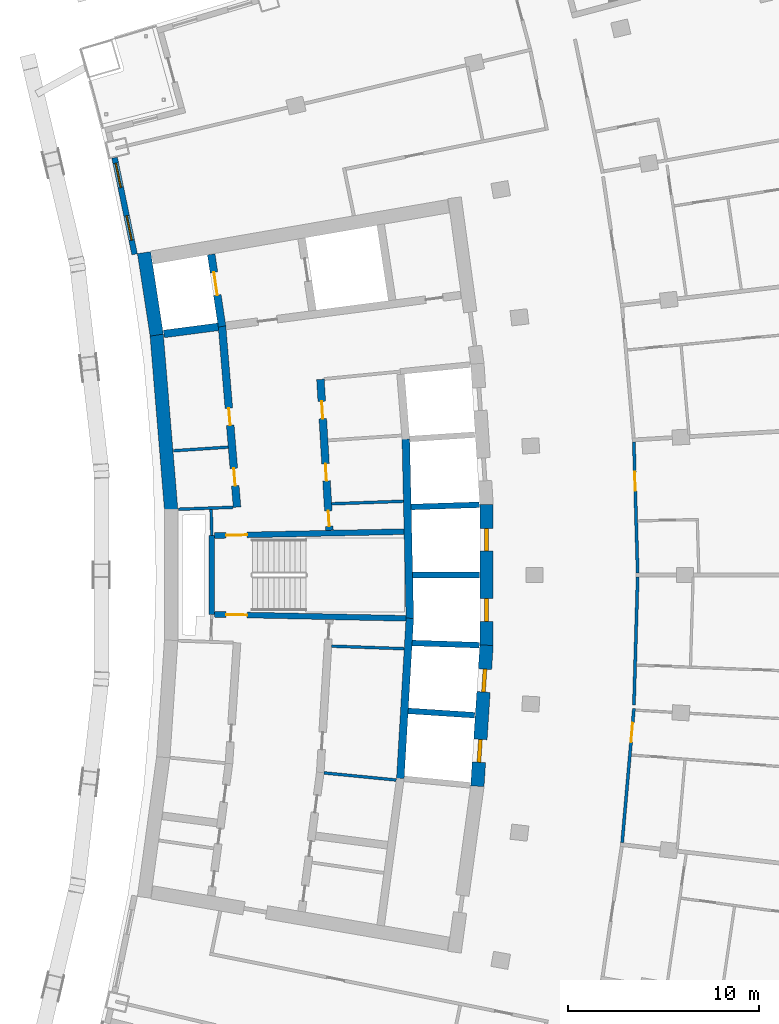
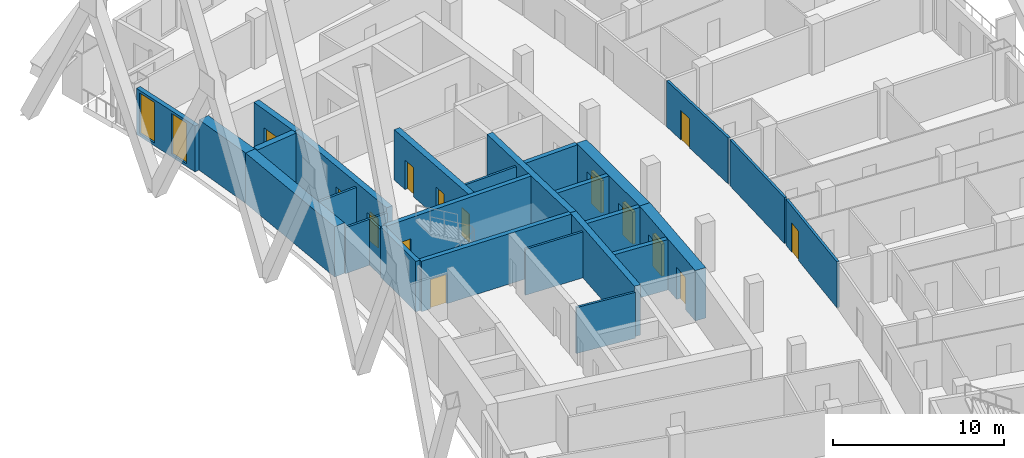
# One storey, part 14 of 22: 27 walls, 14 doors, 2 windows, 16 openings.
"""IFC4 building model written with IfcOpenShell, lengths in metres."""

from ifc_helpers import new_model, si_unit, direction, frame, frame_2d, origin, place, context, subcontext, project, spatial, rectangle, extrude, material, layer, layer_set, type_object, element, fill, save


model = new_model("IFC4")

# Units and contexts
model_context = context("Model", 3, precision=1e-05, world=origin(), true_north=direction((0.0, 1.0)))
body_context = subcontext(model_context, "Body", "Model", "MODEL_VIEW")
ifc_project = project(units=[si_unit("LENGTHUNIT", "METRE"), si_unit("AREAUNIT", "SQUARE_METRE"), si_unit("VOLUMEUNIT", "CUBIC_METRE"), si_unit("PLANEANGLEUNIT", "RADIAN"), si_unit("MASSUNIT", "GRAM", prefix="KILO")], contexts=[model_context])

# Site, building, storey
site_placement = place(None, origin())
site = spatial("IfcSite", under=ifc_project, at=site_placement, CompositionType="ELEMENT")
building_placement = place(site_placement, origin())
building = spatial("IfcBuilding", under=site, at=building_placement, Name="Alderwake Tower", CompositionType="ELEMENT")
storey_placement = place(building_placement, frame((0.0, 0.0, 160.39990234375)))
storey = spatial("IfcBuildingStorey", under=building, at=storey_placement, Name="L39", CompositionType="ELEMENT", Elevation=160.39990234375)

# Walls
ifc_material_1 = material(Name="Gypsum shaft wall system, rated")
ifc_layer_1 = layer(ifc_material_1, 0.14990234375)
ifc_layer_set_1 = layer_set([ifc_layer_1], Name="Core riser partition 150")
wall_type_1 = type_object("IfcWallType", Name="Core riser partition 150", PredefinedType="PARTITIONING", material=ifc_layer_set_1)
wall_1_placement = place(storey_placement, frame((25.1904296875, 57.276611328125, 0.0), z_axis=(0.0, 0.0, 1.0), x_axis=(0.999373547283, -0.03539086028, 0.0)))
element("IfcWall", 1, at=wall_1_placement, inside=storey, type_object=wall_type_1, Name="CW/L39/PR-37_+86", PredefinedType="PARTITIONING", context=body_context, shape_type="SweptSolid", body=[
    extrude(rectangle(XDim=3.794189453125, YDim=0.14990234375, at=frame_2d((1.89697265625, 0.0))), origin(), (0.0, 0.0, 1.0), 3.280029296875),
])
wall_2_placement = place(storey_placement, frame((25.191162109375, 64.723388671875, 0.0), z_axis=(0.0, 0.0, 1.0), x_axis=(0.999373256208, 0.035399078746, 0.0)))
element("IfcWall", 2, at=wall_2_placement, inside=storey, type_object=wall_type_1, Name="CW/L39/PR+37_+86", PredefinedType="PARTITIONING", context=body_context, shape_type="SweptSolid", body=[
    extrude(rectangle(XDim=3.751953125, YDim=0.14990234375, at=frame_2d((1.8759765625, 0.0))), origin(), (0.0, 0.0, 1.0), 3.280029296875),
])
ifc_material_2 = material(Name="Gypsum shaft wall system, rated")
ifc_layer_2 = layer(ifc_material_2, 0.14990234375)
ifc_layer_set_2 = layer_set([ifc_layer_2], Name="Core room partition 150")
wall_type_2 = type_object("IfcWallType", Name="Core room partition 150", PredefinedType="PARTITIONING", material=ifc_layer_set_2)
wall_3_placement = place(storey_placement, frame((18.918701171875, 63.05517578125, 0.0), z_axis=(0.0, 0.0, 1.0), x_axis=(-0.027791791559, 0.99961373356, 0.0)))
element("IfcWall", 3, at=wall_3_placement, inside=storey, type_object=wall_type_2, Name="CW/L39/PA+24_+22", PredefinedType="PARTITIONING", context=body_context, shape_type="SweptSolid", body=[
    extrude(rectangle(XDim=1.370361328125, YDim=0.14990234375, at=frame_2d((0.68505859375, 0.0))), origin(), (0.0, 0.0, 1.0), 3.280029296875),
])
wall_4_placement = place(storey_placement, frame((24.789794921875, 50.64501953125, 0.0), z_axis=(0.0, 0.0, 1.0), x_axis=(0.995153039802, -0.098338331148, 0.0)))
element("IfcWall", 4, at=wall_4_placement, inside=storey, type_object=wall_type_2, Name="CW/L39/PR-103_+86", PredefinedType="PARTITIONING", context=body_context, shape_type="SweptSolid", body=[
    extrude(rectangle(XDim=3.7958984375, YDim=0.14990234375, at=frame_2d((1.89794921875, 0.0))), origin(), (0.0, 0.0, 1.0), 3.280029296875),
])
wall_5_placement = place(storey_placement, frame((17.16943359375, 64.439453125, 0.0), z_axis=(0.0, 0.0, 1.0), x_axis=(0.999373431798, 0.035394121201, 0.0)))
element("IfcWall", 5, at=wall_5_placement, inside=storey, type_object=wall_type_2, Name="CW/L39/PR+37_+0", PredefinedType="PARTITIONING", context=body_context, shape_type="SweptSolid", body=[
    extrude(rectangle(XDim=2.869384765625, YDim=0.14990234375, at=frame_2d((1.4345703125, 0.0))), origin(), (0.0, 0.0, 1.0), 3.280029296875),
])
wall_6_placement = place(storey_placement, frame((16.916015625, 67.497314453125, 0.0), z_axis=(0.0, 0.0, 1.0), x_axis=(0.997762488798, 0.066858177867, 0.0)))
element("IfcWall", 6, at=wall_6_placement, inside=storey, type_object=wall_type_2, Name="CW/L39/PR+70_+0", PredefinedType="PARTITIONING", context=body_context, shape_type="SweptSolid", body=[
    extrude(rectangle(XDim=2.866455078125, YDim=0.14990234375, at=frame_2d((1.43310546875, 0.0))), origin(), (0.0, 0.0, 1.0), 3.280029296875),
])
ifc_material_3 = material(Name="Concrete C70/85", Category="concrete")
ifc_layer_3 = layer(ifc_material_3, 0.699951171875)
ifc_layer_set_3 = layer_set([ifc_layer_3], Name="Core wall outer 700 C70-85")
wall_type_3 = type_object("IfcWallType", Name="Core wall outer 700 C70-85", PredefinedType="SHEAR", material=ifc_layer_set_3)
wall_7_placement = place(storey_placement, frame((16.79052734375, 64.4111328125, 0.0), z_axis=(0.0, 0.0, 1.0), x_axis=(-0.082616907099, 0.996581379849, 0.0)))
element("IfcWall", 7, at=wall_7_placement, inside=storey, type_object=wall_type_3, Name="Core wall CW.040", PredefinedType="SHEAR", context=body_context, shape_type="SweptSolid", body=[
    extrude(rectangle(XDim=9.193359375, YDim=0.699951171875, at=frame_2d((4.5966796875, 0.0))), origin(), (0.0, 0.0, 1.0), 3.60009765625),
])
wall_8_placement = place(storey_placement, frame((16.033935546875, 73.547607421875, 0.0), z_axis=(0.0, 0.0, 1.0), x_axis=(-0.151897483467, 0.988396253795, 0.0)))
element("IfcWall", 8, at=wall_8_placement, inside=storey, type_object=wall_type_3, Name="Core wall CW.039", PredefinedType="SHEAR", context=body_context, shape_type="SweptSolid", body=[
    extrude(rectangle(XDim=4.365234375, YDim=0.699951171875, at=frame_2d((2.1826171875, 0.0))), origin(), (0.0, 0.0, 1.0), 3.60009765625),
])

# Wall, openings, doors
wall_9_placement = place(storey_placement, frame((32.810302734375, 49.9482421875, 0.0), z_axis=(0.0, 0.0, 1.0), x_axis=(0.065009096017, 0.99788467141, 0.0)))
wall_9 = element("IfcWall", 9, at=wall_9_placement, inside=storey, type_object=wall_type_3, Name="Core wall CW.011", PredefinedType="SHEAR", context=body_context, shape_type="SweptSolid", body=[
    extrude(rectangle(XDim=7.39453125, YDim=0.699951171875, at=frame_2d((3.697265625, 0.0))), origin(), (0.0, 0.0, 1.0), 3.60009765625),
])
opening_1_placement = place(wall_9_placement, frame((1.255126953125, 0.0, 0.0)))
opening_1 = element("IfcOpeningElement", 10, at=opening_1_placement, cuts=wall_9, Name="Opening LD-HP1", PredefinedType="OPENING", context=body_context, shape_type="SweptSolid", body=[
    extrude(rectangle(XDim=1.199951171875, YDim=2.300048828125, at=frame_2d((0.60009765625, 1.14990234375))), frame((0.0, 0.35986328125, 0.0), z_axis=(0.0, -1.0, 0.0), x_axis=(1.0, 0.0, 0.0)), (0.0, 0.0, 1.0), 0.719970703125),
])
opening_2_placement = place(wall_9_placement, frame((4.9404296875, 0.0, 0.0)))
opening_2 = element("IfcOpeningElement", 11, at=opening_2_placement, cuts=wall_9, Name="Opening LD-HP2", PredefinedType="OPENING", context=body_context, shape_type="SweptSolid", body=[
    extrude(rectangle(XDim=1.199951171875, YDim=2.300048828125, at=frame_2d((0.60009765625, 1.14990234375))), frame((0.0, 0.35986328125, 0.0), z_axis=(0.0, -1.0, 0.0), x_axis=(1.0, 0.0, 0.0)), (0.0, 0.0, 1.0), 0.719970703125),
])
ifc_material_4 = material(Name="Stainless steel sliding leaf", Category="steel")
door_type_1 = type_object("IfcDoorType", Name="Lift landing door 1200", OperationType="SLIDING_TO_LEFT", PredefinedType="DOOR", material=ifc_material_4)
door_1_placement = place(opening_1_placement, origin())
door_1 = element("IfcDoor", 12, at=door_1_placement, inside=storey, type_object=door_type_1, Name="Lift landing door HP1", OperationType="SLIDING_TO_LEFT", OverallHeight=2.300048828125, OverallWidth=1.199951171875, PredefinedType="DOOR", context=body_context, shape_type="SweptSolid", body=[
    extrude(rectangle(XDim=1.199951171875, YDim=2.300048828125, at=frame_2d((0.60009765625, 1.14990234375))), frame((0.0, 0.10009765625, 0.0), z_axis=(0.0, -1.0, 0.0), x_axis=(1.0, 0.0, 0.0)), (0.0, 0.0, 1.0), 0.199951171875),
])
fill(opening_1, door_1)
door_2_placement = place(opening_2_placement, origin())
door_2 = element("IfcDoor", 13, at=door_2_placement, inside=storey, type_object=door_type_1, Name="Lift landing door HP2", OperationType="SLIDING_TO_LEFT", OverallHeight=2.300048828125, OverallWidth=1.199951171875, PredefinedType="DOOR", context=body_context, shape_type="SweptSolid", body=[
    extrude(rectangle(XDim=1.199951171875, YDim=2.300048828125, at=frame_2d((0.60009765625, 1.14990234375))), frame((0.0, 0.10009765625, 0.0), z_axis=(0.0, -1.0, 0.0), x_axis=(1.0, 0.0, 0.0)), (0.0, 0.0, 1.0), 0.199951171875),
])
fill(opening_2, door_2)

wall_10_placement = place(storey_placement, frame((33.2900390625, 57.30322265625, 0.0), z_axis=(0.0, 0.0, 1.0), x_axis=(0.0, 1.0, 0.0)))
wall_10 = element("IfcWall", 14, at=wall_10_placement, inside=storey, type_object=wall_type_3, Name="Core wall CW.013", PredefinedType="SHEAR", context=body_context, shape_type="SweptSolid", body=[
    extrude(rectangle(XDim=7.3935546875, YDim=0.699951171875, at=frame_2d((3.69677734375, 0.0))), origin(), (0.0, 0.0, 1.0), 3.60009765625),
])
opening_3_placement = place(wall_10_placement, frame((1.254150390625, 0.0, 0.0)))
opening_3 = element("IfcOpeningElement", 15, at=opening_3_placement, cuts=wall_10, Name="Opening LD-HP3", PredefinedType="OPENING", context=body_context, shape_type="SweptSolid", body=[
    extrude(rectangle(XDim=1.199951171875, YDim=2.300048828125, at=frame_2d((0.60009765625, 1.14990234375))), frame((0.0, 0.35986328125, 0.0), z_axis=(0.0, -1.0, 0.0), x_axis=(1.0, 0.0, 0.0)), (0.0, 0.0, 1.0), 0.719970703125),
])
opening_4_placement = place(wall_10_placement, frame((4.939208984375, 0.0, 0.0)))
opening_4 = element("IfcOpeningElement", 16, at=opening_4_placement, cuts=wall_10, Name="Opening LD-HP4", PredefinedType="OPENING", context=body_context, shape_type="SweptSolid", body=[
    extrude(rectangle(XDim=1.199951171875, YDim=2.300048828125, at=frame_2d((0.60009765625, 1.14990234375))), frame((0.0, 0.35986328125, 0.0), z_axis=(0.0, -1.0, 0.0), x_axis=(1.0, 0.0, 0.0)), (0.0, 0.0, 1.0), 0.719970703125),
])
door_3_placement = place(opening_3_placement, origin())
door_3 = element("IfcDoor", 17, at=door_3_placement, inside=storey, type_object=door_type_1, Name="Lift landing door HP3", OperationType="SLIDING_TO_LEFT", OverallHeight=2.300048828125, OverallWidth=1.199951171875, PredefinedType="DOOR", context=body_context, shape_type="SweptSolid", body=[
    extrude(rectangle(XDim=1.199951171875, YDim=2.300048828125, at=frame_2d((0.60009765625, 1.14990234375))), frame((0.0, 0.10009765625, 0.0), z_axis=(0.0, -1.0, 0.0), x_axis=(1.0, 0.0, 0.0)), (0.0, 0.0, 1.0), 0.199951171875),
])
fill(opening_3, door_3)
door_4_placement = place(opening_4_placement, origin())
door_4 = element("IfcDoor", 18, at=door_4_placement, inside=storey, type_object=door_type_1, Name="Lift landing door HP4", OperationType="SLIDING_TO_LEFT", OverallHeight=2.300048828125, OverallWidth=1.199951171875, PredefinedType="DOOR", context=body_context, shape_type="SweptSolid", body=[
    extrude(rectangle(XDim=1.199951171875, YDim=2.300048828125, at=frame_2d((0.60009765625, 1.14990234375))), frame((0.0, 0.10009765625, 0.0), z_axis=(0.0, -1.0, 0.0), x_axis=(1.0, 0.0, 0.0)), (0.0, 0.0, 1.0), 0.199951171875),
])
fill(opening_4, door_4)

# Walls
ifc_material_5 = material(Name="Concrete C70/85", Category="concrete")
ifc_layer_4 = layer(ifc_material_5, 0.300048828125)
ifc_layer_set_4 = layer_set([ifc_layer_4], Name="Core wall shaft 300 C70-85")
wall_type_4 = type_object("IfcWallType", Name="Core wall shaft 300 C70-85", PredefinedType="SHEAR", material=ifc_layer_set_4)
wall_11_placement = place(storey_placement, frame((29.190185546875, 53.8896484375, 0.0), z_axis=(0.0, 0.0, 1.0), x_axis=(0.997884352206, -0.065013995596, 0.0)))
element("IfcWall", 19, at=wall_11_placement, inside=storey, type_object=wall_type_4, Name="Core wall CW.078", PredefinedType="SHEAR", context=body_context, shape_type="SweptSolid", body=[
    extrude(rectangle(XDim=3.488525390625, YDim=0.300048828125, at=frame_2d((1.744140625, 0.0))), origin(), (0.0, 0.0, 1.0), 3.60009765625),
])
wall_12_placement = place(storey_placement, frame((29.400634765625, 57.441650390625, 0.0), z_axis=(0.0, 0.0, 1.0), x_axis=(0.999472716164, -0.032469826675, 0.0)))
element("IfcWall", 20, at=wall_12_placement, inside=storey, type_object=wall_type_4, Name="Core wall CW.075", PredefinedType="SHEAR", context=body_context, shape_type="SweptSolid", body=[
    extrude(rectangle(XDim=3.511474609375, YDim=0.300048828125, at=frame_2d((1.755859375, 0.0))), origin(), (0.0, 0.0, 1.0), 3.60009765625),
])
wall_13_placement = place(storey_placement, frame((29.426025390625, 61.0, 0.0), z_axis=(0.0, 0.0, 1.0), x_axis=(1.0, 0.0, 0.0)))
element("IfcWall", 21, at=wall_13_placement, inside=storey, type_object=wall_type_4, Name="Core wall CW.048", PredefinedType="SHEAR", context=body_context, shape_type="SweptSolid", body=[
    extrude(rectangle(XDim=3.484130859375, YDim=0.300048828125, at=frame_2d((1.7421875, 0.0))), origin(), (0.0, 0.0, 1.0), 3.60009765625),
])
wall_14_placement = place(storey_placement, frame((29.347412109375, 64.556396484375, 0.0), z_axis=(0.0, 0.0, 1.0), x_axis=(0.999470674121, 0.03253262319, 0.0)))
element("IfcWall", 22, at=wall_14_placement, inside=storey, type_object=wall_type_4, Name="Core wall CW.058", PredefinedType="SHEAR", context=body_context, shape_type="SweptSolid", body=[
    extrude(rectangle(XDim=3.564697265625, YDim=0.300048828125, at=frame_2d((1.7822265625, 0.0))), origin(), (0.0, 0.0, 1.0), 3.60009765625),
])

# Wall, openings, doors
ifc_material_6 = material(Name="Concrete C70/85", Category="concrete")
ifc_layer_5 = layer(ifc_material_6, 0.39990234375)
ifc_layer_set_5 = layer_set([ifc_layer_5], Name="Core wall spine 400 C70-85")
wall_type_5 = type_object("IfcWallType", Name="Core wall spine 400 C70-85", PredefinedType="SHEAR", material=ifc_layer_set_5)
wall_15_placement = place(storey_placement, frame((19.452392578125, 74.014892578125, 0.0), z_axis=(0.0, 0.0, 1.0), x_axis=(0.082628585297, -0.996580411654, 0.0)))
wall_15 = element("IfcWall", 23, at=wall_15_placement, inside=storey, type_object=wall_type_5, Name="Core wall CW.031", PredefinedType="SHEAR", context=body_context, shape_type="SweptSolid", body=[
    extrude(rectangle(XDim=9.499267578125, YDim=0.39990234375, at=frame_2d((4.74951171875, 0.0))), origin(), (0.0, 0.0, 1.0), 3.60009765625),
])
opening_5_placement = place(wall_15_placement, frame((7.4677734375, 0.0, 0.0)))
opening_5 = element("IfcOpeningElement", 24, at=opening_5_placement, cuts=wall_15, Name="Opening C053", PredefinedType="OPENING", context=body_context, shape_type="SweptSolid", body=[
    extrude(rectangle(XDim=0.89990234375, YDim=2.10009765625, at=frame_2d((0.449951171875, 1.050048828125))), frame((0.0, 0.2099609375, 0.0), z_axis=(0.0, -1.0, 0.0), x_axis=(1.0, 0.0, 0.0)), (0.0, 0.0, 1.0), 0.419921875),
])
opening_6_placement = place(wall_15_placement, frame((4.302978515625, 0.0, 0.0)))
opening_6 = element("IfcOpeningElement", 25, at=opening_6_placement, cuts=wall_15, Name="Opening C054", PredefinedType="OPENING", context=body_context, shape_type="SweptSolid", body=[
    extrude(rectangle(XDim=0.89990234375, YDim=2.10009765625, at=frame_2d((0.449951171875, 1.050048828125))), frame((0.0, 0.2099609375, 0.0), z_axis=(0.0, -1.0, 0.0), x_axis=(1.0, 0.0, 0.0)), (0.0, 0.0, 1.0), 0.419921875),
])
ifc_material_7 = material(Name="Painted steel leaf", Category="steel")
door_type_2 = type_object("IfcDoorType", Name="Core room door 900", OperationType="SINGLE_SWING_LEFT", PredefinedType="DOOR", material=ifc_material_7)
door_5_placement = place(opening_5_placement, origin())
door_5 = element("IfcDoor", 26, at=door_5_placement, inside=storey, type_object=door_type_2, Name="Room door", OperationType="SINGLE_SWING_LEFT", OverallHeight=2.10009765625, OverallWidth=0.89990234375, PredefinedType="DOOR", context=body_context, shape_type="SweptSolid", body=[
    extrude(rectangle(XDim=0.89990234375, YDim=2.10009765625, at=frame_2d((0.449951171875, 1.050048828125))), frame((0.0, 0.02490234375, 0.0), z_axis=(0.0, -1.0, 0.0), x_axis=(1.0, 0.0, 0.0)), (0.0, 0.0, 1.0), 0.050048828125),
])
fill(opening_5, door_5)
door_6_placement = place(opening_6_placement, origin())
door_6 = element("IfcDoor", 27, at=door_6_placement, inside=storey, type_object=door_type_2, Name="Room door", OperationType="SINGLE_SWING_RIGHT", OverallHeight=2.10009765625, OverallWidth=0.89990234375, PredefinedType="DOOR", context=body_context, shape_type="SweptSolid", body=[
    extrude(rectangle(XDim=0.89990234375, YDim=2.10009765625, at=frame_2d((0.449951171875, 1.050048828125))), frame((0.0, 0.02490234375, 0.0), z_axis=(0.0, -1.0, 0.0), x_axis=(1.0, 0.0, 0.0)), (0.0, 0.0, 1.0), 0.050048828125),
])
fill(opening_6, door_6)

# Wall, opening, door
wall_16_placement = place(storey_placement, frame((19.4541015625, 74.000732421875, 0.0), z_axis=(0.0, 0.0, 1.0), x_axis=(-0.148540738889, 0.988906289236, 0.0)))
wall_16 = element("IfcWall", 28, at=wall_16_placement, inside=storey, type_object=wall_type_5, Name="Core wall CW.030", PredefinedType="SHEAR", context=body_context, shape_type="SweptSolid", body=[
    extrude(rectangle(XDim=3.814697265625, YDim=0.39990234375, at=frame_2d((1.9072265625, 0.0))), origin(), (0.0, 0.0, 1.0), 3.60009765625),
])
opening_7_placement = place(wall_16_placement, frame((1.660888671875, 0.0, 0.0)))
opening_7 = element("IfcOpeningElement", 29, at=opening_7_placement, cuts=wall_16, Name="Opening LD-FF1", PredefinedType="OPENING", context=body_context, shape_type="SweptSolid", body=[
    extrude(rectangle(XDim=1.199951171875, YDim=2.300048828125, at=frame_2d((0.60009765625, 1.14990234375))), frame((0.0, 0.2099609375, 0.0), z_axis=(0.0, -1.0, 0.0), x_axis=(1.0, 0.0, 0.0)), (0.0, 0.0, 1.0), 0.419921875),
])
door_7_placement = place(opening_7_placement, origin())
door_7 = element("IfcDoor", 30, at=door_7_placement, inside=storey, type_object=door_type_1, Name="Lift landing door FF1", OperationType="SLIDING_TO_LEFT", OverallHeight=2.300048828125, OverallWidth=1.199951171875, PredefinedType="DOOR", context=body_context, shape_type="SweptSolid", body=[
    extrude(rectangle(XDim=1.199951171875, YDim=2.300048828125, at=frame_2d((0.60009765625, 1.14990234375))), frame((0.0, 0.02490234375, 0.0), z_axis=(0.0, -1.0, 0.0), x_axis=(1.0, 0.0, 0.0)), (0.0, 0.0, 1.0), 0.050048828125),
])
fill(opening_7, door_7)

# Wall, openings, doors
wall_17_placement = place(storey_placement, frame((25.073974609375, 63.335693359375, 0.0), z_axis=(0.0, 0.0, 1.0), x_axis=(-0.059848641072, 0.998207463487, 0.0)))
wall_17 = element("IfcWall", 31, at=wall_17_placement, inside=storey, type_object=wall_type_5, Name="Core wall CW.045", PredefinedType="SHEAR", context=body_context, shape_type="SweptSolid", body=[
    extrude(rectangle(XDim=7.913818359375, YDim=0.39990234375, at=frame_2d((3.95703125, 0.0))), origin(), (0.0, 0.0, 1.0), 3.60009765625),
])
opening_8_placement = place(wall_17_placement, frame((0.216064453125, 0.0, 0.0)))
opening_8 = element("IfcOpeningElement", 32, at=opening_8_placement, cuts=wall_17, Name="Opening C005", PredefinedType="OPENING", context=body_context, shape_type="SweptSolid", body=[
    extrude(rectangle(XDim=0.800048828125, YDim=2.0, at=frame_2d((0.39990234375, 1.0))), frame((0.0, 0.2099609375, 0.0), z_axis=(0.0, -1.0, 0.0), x_axis=(1.0, 0.0, 0.0)), (0.0, 0.0, 1.0), 0.419921875),
])
opening_9_placement = place(wall_17_placement, frame((5.856201171875, 0.0, 0.0)))
opening_9 = element("IfcOpeningElement", 33, at=opening_9_placement, cuts=wall_17, Name="Opening C023", PredefinedType="OPENING", context=body_context, shape_type="SweptSolid", body=[
    extrude(rectangle(XDim=0.89990234375, YDim=2.10009765625, at=frame_2d((0.449951171875, 1.050048828125))), frame((0.0, 0.2099609375, 0.0), z_axis=(0.0, -1.0, 0.0), x_axis=(1.0, 0.0, 0.0)), (0.0, 0.0, 1.0), 0.419921875),
])
opening_10_placement = place(wall_17_placement, frame((2.590087890625, 0.0, 0.0)))
opening_10 = element("IfcOpeningElement", 34, at=opening_10_placement, cuts=wall_17, Name="Opening C059", PredefinedType="OPENING", context=body_context, shape_type="SweptSolid", body=[
    extrude(rectangle(XDim=0.89990234375, YDim=2.10009765625, at=frame_2d((0.449951171875, 1.050048828125))), frame((0.0, 0.2099609375, 0.0), z_axis=(0.0, -1.0, 0.0), x_axis=(1.0, 0.0, 0.0)), (0.0, 0.0, 1.0), 0.419921875),
])
door_8_placement = place(opening_9_placement, origin())
door_8 = element("IfcDoor", 35, at=door_8_placement, inside=storey, type_object=door_type_2, Name="Room door", OperationType="SINGLE_SWING_RIGHT", OverallHeight=2.10009765625, OverallWidth=0.89990234375, PredefinedType="DOOR", context=body_context, shape_type="SweptSolid", body=[
    extrude(rectangle(XDim=0.89990234375, YDim=2.10009765625, at=frame_2d((0.449951171875, 1.050048828125))), frame((0.0, 0.02490234375, 0.0), z_axis=(0.0, -1.0, 0.0), x_axis=(1.0, 0.0, 0.0)), (0.0, 0.0, 1.0), 0.050048828125),
])
fill(opening_9, door_8)
door_9_placement = place(opening_10_placement, origin())
door_9 = element("IfcDoor", 36, at=door_9_placement, inside=storey, type_object=door_type_2, Name="Room door", OperationType="SINGLE_SWING_LEFT", OverallHeight=2.10009765625, OverallWidth=0.89990234375, PredefinedType="DOOR", context=body_context, shape_type="SweptSolid", body=[
    extrude(rectangle(XDim=0.89990234375, YDim=2.10009765625, at=frame_2d((0.449951171875, 1.050048828125))), frame((0.0, 0.02490234375, 0.0), z_axis=(0.0, -1.0, 0.0), x_axis=(1.0, 0.0, 0.0)), (0.0, 0.0, 1.0), 0.050048828125),
])
fill(opening_10, door_9)
ifc_material_8 = material(Name="Painted steel leaf, rated", Category="steel")
door_type_3 = type_object("IfcDoorType", Name="Riser access door 800", OperationType="SINGLE_SWING_LEFT", PredefinedType="DOOR", material=ifc_material_8)
door_10_placement = place(opening_8_placement, origin())
door_10 = element("IfcDoor", 37, at=door_10_placement, inside=storey, type_object=door_type_3, Name="Riser access door", OperationType="SINGLE_SWING_LEFT", OverallHeight=2.0, OverallWidth=0.800048828125, PredefinedType="DOOR", context=body_context, shape_type="SweptSolid", body=[
    extrude(rectangle(XDim=0.800048828125, YDim=2.0, at=frame_2d((0.39990234375, 1.0))), frame((0.0, 0.02490234375, 0.0), z_axis=(0.0, -1.0, 0.0), x_axis=(1.0, 0.0, 0.0)), (0.0, 0.0, 1.0), 0.050048828125),
])
fill(opening_8, door_10)

# Walls
wall_18_placement = place(storey_placement, frame((28.780029296875, 50.347900390625, 0.0), z_axis=(0.0, 0.0, 1.0), x_axis=(0.059130817733, 0.998250242371, 0.0)))
element("IfcWall", 38, at=wall_18_placement, inside=storey, type_object=wall_type_5, Name="Core wall CW.004", PredefinedType="SHEAR", context=body_context, shape_type="SweptSolid", body=[
    extrude(rectangle(XDim=8.402099609375, YDim=0.39990234375, at=frame_2d((4.201171875, 0.0))), origin(), (0.0, 0.0, 1.0), 3.60009765625),
])
wall_19_placement = place(storey_placement, frame((29.276611328125, 58.71826171875, 0.0), z_axis=(0.0, 0.0, 1.0), x_axis=(-0.022119171053, 0.999755341207, 0.0)))
element("IfcWall", 39, at=wall_19_placement, inside=storey, type_object=wall_type_5, Name="Core wall CW.007", PredefinedType="SHEAR", context=body_context, shape_type="SweptSolid", body=[
    extrude(rectangle(XDim=9.392822265625, YDim=0.39990234375, at=frame_2d((4.6962890625, 0.0))), origin(), (0.0, 0.0, 1.0), 3.60009765625),
])
wall_20_placement = place(storey_placement, frame((16.4091796875, 73.609619140625, 0.0), z_axis=(0.0, 0.0, 1.0), x_axis=(0.991557657486, 0.129666541102, 0.0)))
element("IfcWall", 40, at=wall_20_placement, inside=storey, type_object=wall_type_5, Name="Core wall CW.051", PredefinedType="SHEAR", context=body_context, shape_type="SweptSolid", body=[
    extrude(rectangle(XDim=2.869384765625, YDim=0.39990234375, at=frame_2d((1.4345703125, 0.0))), origin(), (0.0, 0.0, 1.0), 3.60009765625),
])
ifc_material_9 = material(Name="Concrete C70/85", Category="concrete")
ifc_layer_6 = layer(ifc_material_9, 0.300048828125)
ifc_layer_set_6 = layer_set([ifc_layer_6], Name="Core wall stair enclosure 300 C70-85")
wall_type_6 = type_object("IfcWallType", Name="Core wall stair enclosure 300 C70-85", PredefinedType="SHEAR", material=ifc_layer_set_6)
wall_21_placement = place(storey_placement, frame((18.918701171875, 58.940673828125, 0.0), z_axis=(0.0, 0.0, 1.0), x_axis=(0.0, 1.0, 0.0)))
element("IfcWall", 41, at=wall_21_placement, inside=storey, type_object=wall_type_6, Name="Core wall CW.024", PredefinedType="SHEAR", context=body_context, shape_type="SweptSolid", body=[
    extrude(rectangle(XDim=4.11962890625, YDim=0.300048828125, at=frame_2d((2.059814453125, 0.0))), origin(), (0.0, 0.0, 1.0), 3.60009765625),
])

# Wall, opening, door
wall_22_placement = place(storey_placement, frame((29.076416015625, 58.73095703125, 0.0), z_axis=(0.0, 0.0, 1.0), x_axis=(-0.99978356433, 0.020804434533, 0.0)))
wall_22 = element("IfcWall", 42, at=wall_22_placement, inside=storey, type_object=wall_type_6, Name="Core wall CW.074", PredefinedType="SHEAR", context=body_context, shape_type="SweptSolid", body=[
    extrude(rectangle(XDim=10.010009765625, YDim=0.300048828125, at=frame_2d((5.0048828125, 0.0))), origin(), (0.0, 0.0, 1.0), 3.60009765625),
])
opening_11_placement = place(wall_22_placement, frame((8.309814453125, 0.0, 0.0)))
opening_11 = element("IfcOpeningElement", 43, at=opening_11_placement, cuts=wall_22, Name="Opening C063", PredefinedType="OPENING", context=body_context, shape_type="SweptSolid", body=[
    extrude(rectangle(XDim=1.10009765625, YDim=2.10009765625, at=frame_2d((0.550048828125, 1.050048828125))), frame((0.0, 0.159912109375, 0.0), z_axis=(0.0, -1.0, 0.0), x_axis=(1.0, 0.0, 0.0)), (0.0, 0.0, 1.0), 0.320068359375),
])
ifc_material_10 = material(Name="Steel-framed fire door leaf", Category="steel")
door_type_4 = type_object("IfcDoorType", Name="Core stair door 1100 fire-rated", OperationType="SINGLE_SWING_LEFT", PredefinedType="DOOR", material=ifc_material_10)
door_11_placement = place(opening_11_placement, origin())
door_11 = element("IfcDoor", 44, at=door_11_placement, inside=storey, type_object=door_type_4, Name="Stair door", OperationType="SINGLE_SWING_RIGHT", OverallHeight=2.10009765625, OverallWidth=1.10009765625, PredefinedType="DOOR", context=body_context, shape_type="SweptSolid", body=[
    extrude(rectangle(XDim=1.10009765625, YDim=2.10009765625, at=frame_2d((0.550048828125, 1.050048828125))), frame((0.0, 0.02490234375, 0.0), z_axis=(0.0, -1.0, 0.0), x_axis=(1.0, 0.0, 0.0)), (0.0, 0.0, 1.0), 0.050048828125),
])
fill(opening_11, door_11)

wall_23_placement = place(storey_placement, frame((19.068603515625, 63.060791015625, 0.0), z_axis=(0.0, 0.0, 1.0), x_axis=(0.999783782948, 0.020793925895, 0.0)))
wall_23 = element("IfcWall", 45, at=wall_23_placement, inside=storey, type_object=wall_type_6, Name="Core wall CW.057", PredefinedType="SHEAR", context=body_context, shape_type="SweptSolid", body=[
    extrude(rectangle(XDim=9.909423828125, YDim=0.300048828125, at=frame_2d((4.95458984375, 0.0))), origin(), (0.0, 0.0, 1.0), 3.60009765625),
])
opening_12_placement = place(wall_23_placement, frame((0.60009765625, 0.0, 0.0)))
opening_12 = element("IfcOpeningElement", 46, at=opening_12_placement, cuts=wall_23, Name="Opening C064", PredefinedType="OPENING", context=body_context, shape_type="SweptSolid", body=[
    extrude(rectangle(XDim=1.10009765625, YDim=2.10009765625, at=frame_2d((0.550048828125, 1.050048828125))), frame((0.0, 0.159912109375, 0.0), z_axis=(0.0, -1.0, 0.0), x_axis=(1.0, 0.0, 0.0)), (0.0, 0.0, 1.0), 0.320068359375),
])
door_12_placement = place(opening_12_placement, origin())
door_12 = element("IfcDoor", 47, at=door_12_placement, inside=storey, type_object=door_type_4, Name="Stair door", OperationType="SINGLE_SWING_LEFT", OverallHeight=2.10009765625, OverallWidth=1.10009765625, PredefinedType="DOOR", context=body_context, shape_type="SweptSolid", body=[
    extrude(rectangle(XDim=1.10009765625, YDim=2.10009765625, at=frame_2d((0.550048828125, 1.050048828125))), frame((0.0, 0.02490234375, 0.0), z_axis=(0.0, -1.0, 0.0), x_axis=(1.0, 0.0, 0.0)), (0.0, 0.0, 1.0), 0.050048828125),
])
fill(opening_12, door_12)

ifc_material_11 = material(Name="Gypsum board on metal studs, rated")
ifc_layer_7 = layer(ifc_material_11, 0.159912109375)
ifc_layer_set_7 = layer_set([ifc_layer_7], Name="Corridor wall 160")
wall_type_7 = type_object("IfcWallType", Name="Corridor wall 160", PredefinedType="PARTITIONING", material=ifc_layer_set_7)
wall_24_placement = place(storey_placement, frame((41.001953125, 54.013671875, 0.0), z_axis=(0.0, 0.0, 1.0), x_axis=(-0.087430787456, -0.996170596537, 0.0)))
wall_24 = element("IfcWall", 48, at=wall_24_placement, inside=storey, type_object=wall_type_7, Name="WL/L39/W23", PredefinedType="PARTITIONING", context=body_context, shape_type="SweptSolid", body=[
    extrude(rectangle(XDim=7.048095703125, YDim=0.159912109375, at=frame_2d((3.52392578125, 0.0))), origin(), (0.0, 0.0, 1.0), 3.280029296875),
])
opening_13_placement = place(wall_24_placement, frame((0.75830078125, 0.0, 0.0)))
opening_13 = element("IfcOpeningElement", 49, at=opening_13_placement, cuts=wall_24, Name="Opening R11-U05.2", PredefinedType="OPENING", context=body_context, shape_type="SweptSolid", body=[
    extrude(rectangle(XDim=1.0, YDim=2.10009765625, at=frame_2d((0.5, 1.050048828125))), frame((0.0, 0.08984375, 0.0), z_axis=(0.0, -1.0, 0.0), x_axis=(1.0, 0.0, 0.0)), (0.0, 0.0, 1.0), 0.179931640625),
])
ifc_material_12 = material(Name="Solid timber leaf in steel frame", Category="steel")
door_type_5 = type_object("IfcDoorType", Name="Flat entrance door 1000 fire-rated", OperationType="SINGLE_SWING_LEFT", PredefinedType="DOOR", material=ifc_material_12)
door_13_placement = place(opening_13_placement, origin())
door_13 = element("IfcDoor", 50, at=door_13_placement, inside=storey, type_object=door_type_5, Name="DR/L39/U05.2", OperationType="SINGLE_SWING_LEFT", OverallHeight=2.10009765625, OverallWidth=1.0, PredefinedType="DOOR", context=body_context, shape_type="SweptSolid", body=[
    extrude(rectangle(XDim=1.0, YDim=2.10009765625, at=frame_2d((0.5, 1.050048828125))), frame((0.0, 0.02490234375, 0.0), z_axis=(0.0, -1.0, 0.0), x_axis=(1.0, 0.0, 0.0)), (0.0, 0.0, 1.0), 0.050048828125),
])
fill(opening_13, door_13)

# Wall
wall_25_placement = place(storey_placement, frame((41.002685546875, 54.20068359375, 0.0), z_axis=(0.0, 0.0, 1.0), x_axis=(0.028855161601, 0.999583603131, 0.0)))
element("IfcWall", 51, at=wall_25_placement, inside=storey, type_object=wall_type_7, Name="WL/L39/W25", PredefinedType="PARTITIONING", context=body_context, shape_type="SweptSolid", body=[
    extrude(rectangle(XDim=6.700927734375, YDim=0.159912109375, at=frame_2d((3.3505859375, 0.0))), origin(), (0.0, 0.0, 1.0), 3.280029296875),
])

# Wall, opening, door
wall_26_placement = place(storey_placement, frame((40.997802734375, 67.967041015625, 0.0), z_axis=(0.0, 0.0, 1.0), x_axis=(0.028852935833, -0.99958366738, 0.0)))
wall_26 = element("IfcWall", 52, at=wall_26_placement, inside=storey, type_object=wall_type_7, Name="WL/L39/W27", PredefinedType="PARTITIONING", context=body_context, shape_type="SweptSolid", body=[
    extrude(rectangle(XDim=6.870849609375, YDim=0.159912109375, at=frame_2d((3.435546875, 0.0))), origin(), (0.0, 0.0, 1.0), 3.280029296875),
])
opening_14_placement = place(wall_26_placement, frame((1.5712890625, 0.0, 0.0)))
opening_14 = element("IfcOpeningElement", 53, at=opening_14_placement, cuts=wall_26, Name="Opening R11-U06.1", PredefinedType="OPENING", context=body_context, shape_type="SweptSolid", body=[
    extrude(rectangle(XDim=1.0, YDim=2.10009765625, at=frame_2d((0.5, 1.050048828125))), frame((0.0, 0.08984375, 0.0), z_axis=(0.0, -1.0, 0.0), x_axis=(1.0, 0.0, 0.0)), (0.0, 0.0, 1.0), 0.179931640625),
])
door_14_placement = place(opening_14_placement, origin())
door_14 = element("IfcDoor", 54, at=door_14_placement, inside=storey, type_object=door_type_5, Name="DR/L39/U06.1", OperationType="SINGLE_SWING_LEFT", OverallHeight=2.10009765625, OverallWidth=1.0, PredefinedType="DOOR", context=body_context, shape_type="SweptSolid", body=[
    extrude(rectangle(XDim=1.0, YDim=2.10009765625, at=frame_2d((0.5, 1.050048828125))), frame((0.0, 0.02490234375, 0.0), z_axis=(0.0, -1.0, 0.0), x_axis=(1.0, 0.0, 0.0)), (0.0, 0.0, 1.0), 0.050048828125),
])
fill(opening_14, door_14)

# Wall, openings, windows
ifc_material_13 = material(Name="Precast concrete C50/60 spandrel panel", Category="concrete")
ifc_layer_8 = layer(ifc_material_13, 0.300048828125)
ifc_layer_set_8 = layer_set([ifc_layer_8], Name="External wall EW1 Precast concrete C50/60 spandrel")
wall_type_8 = type_object("IfcWallType", Name="External wall EW1 Precast concrete C50/60 spandrel", PredefinedType="SOLIDWALL", material=ifc_layer_set_8)
wall_27_placement = place(storey_placement, frame((13.83203125, 82.8291015625, 0.0), z_axis=(0.0, 0.0, 1.0), x_axis=(0.202754243564, -0.979229654737, 0.0)))
wall_27 = element("IfcWall", 55, at=wall_27_placement, inside=storey, type_object=wall_type_8, Name="External wall 31", PredefinedType="SOLIDWALL", context=body_context, shape_type="SweptSolid", body=[
    extrude(rectangle(XDim=5.15966796875, YDim=0.300048828125, at=frame_2d((2.579833984375, 0.0))), origin(), (0.0, 0.0, 1.0), 3.280029296875),
])
opening_15_placement = place(wall_27_placement, frame((0.29052734375, 0.0, 0.199951171875)))
opening_15 = element("IfcOpeningElement", 56, at=opening_15_placement, cuts=wall_27, Name="Opening W1", PredefinedType="OPENING", context=body_context, shape_type="SweptSolid", body=[
    extrude(rectangle(XDim=1.300048828125, YDim=2.89990234375, at=frame_2d((0.64990234375, 1.449951171875))), frame((0.0, 0.159912109375, 0.0), z_axis=(0.0, -1.0, 0.0), x_axis=(1.0, 0.0, 0.0)), (0.0, 0.0, 1.0), 0.320068359375),
])
opening_16_placement = place(wall_27_placement, frame((3.103271484375, 0.0, 0.199951171875)))
opening_16 = element("IfcOpeningElement", 57, at=opening_16_placement, cuts=wall_27, Name="Opening W1", PredefinedType="OPENING", context=body_context, shape_type="SweptSolid", body=[
    extrude(rectangle(XDim=1.300048828125, YDim=2.89990234375, at=frame_2d((0.64990234375, 1.449951171875))), frame((0.0, 0.159912109375, 0.0), z_axis=(0.0, -1.0, 0.0), x_axis=(1.0, 0.0, 0.0)), (0.0, 0.0, 1.0), 0.320068359375),
])
ifc_material_14 = material(Name="Bronze tinted glass in aluminium frame", Category="aluminium")
window_type = type_object("IfcWindowType", Name="Window W1 tall fixed and vent", PartitioningType="DOUBLE_PANEL_VERTICAL", PredefinedType="WINDOW", material=ifc_material_14)
window_1_placement = place(opening_15_placement, origin())
window_1 = element("IfcWindow", 58, at=window_1_placement, inside=storey, type_object=window_type, Name="Window W1 tall fixed and vent", OverallHeight=2.89990234375, OverallWidth=1.300048828125, PartitioningType="DOUBLE_PANEL_VERTICAL", PredefinedType="WINDOW", context=body_context, shape_type="SweptSolid", body=[
    extrude(rectangle(XDim=1.300048828125, YDim=2.89990234375, at=frame_2d((0.64990234375, 1.449951171875))), frame((0.0, 0.030029296875, 0.0), z_axis=(0.0, -1.0, 0.0), x_axis=(1.0, 0.0, 0.0)), (0.0, 0.0, 1.0), 0.06005859375),
])
fill(opening_15, window_1)
window_2_placement = place(opening_16_placement, origin())
window_2 = element("IfcWindow", 59, at=window_2_placement, inside=storey, type_object=window_type, Name="Window W1 tall fixed and vent", OverallHeight=2.89990234375, OverallWidth=1.300048828125, PartitioningType="DOUBLE_PANEL_VERTICAL", PredefinedType="WINDOW", context=body_context, shape_type="SweptSolid", body=[
    extrude(rectangle(XDim=1.300048828125, YDim=2.89990234375, at=frame_2d((0.64990234375, 1.449951171875))), frame((0.0, 0.030029296875, 0.0), z_axis=(0.0, -1.0, 0.0), x_axis=(1.0, 0.0, 0.0)), (0.0, 0.0, 1.0), 0.06005859375),
])
fill(opening_16, window_2)

save(model, "model.ifc")
